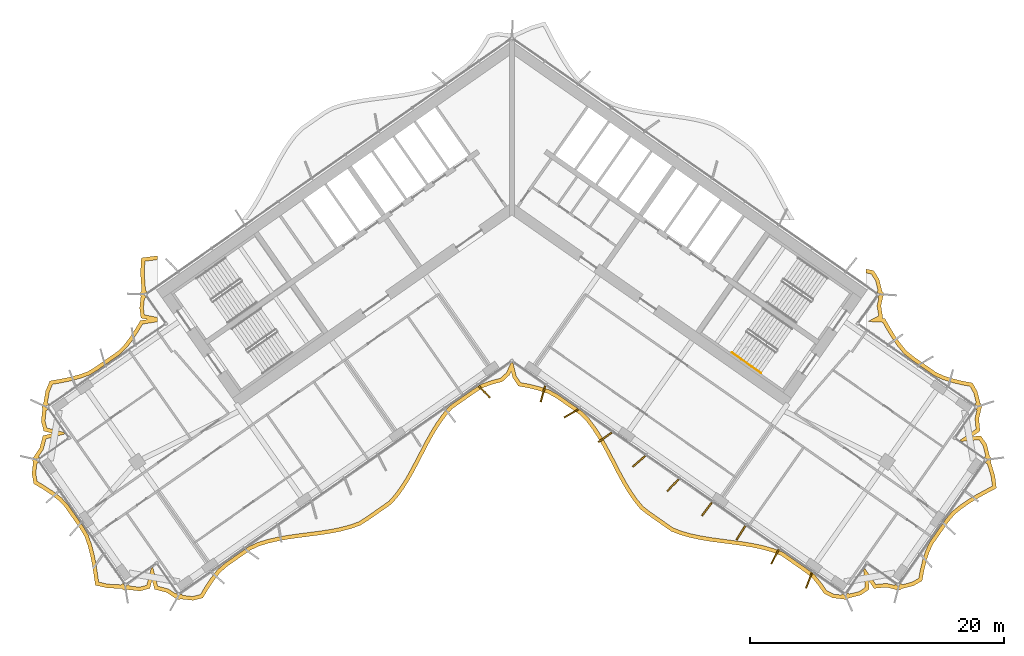
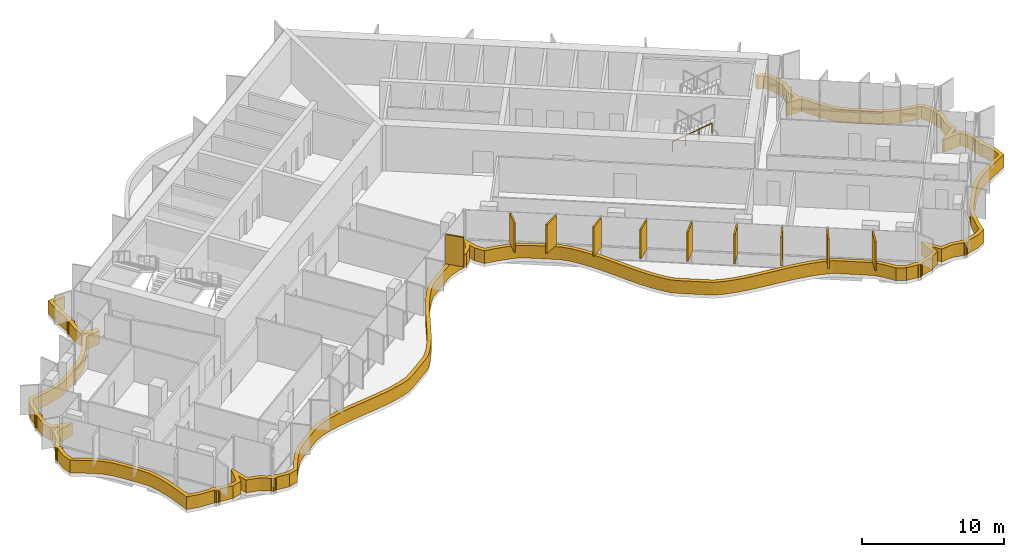
# One storey, part 21 of 23: 11 shading devices, 1 railing.
"""IFC4 building model written with IfcOpenShell, lengths in metres."""

from ifc_helpers import new_model, si_unit, direction, frame, origin, origin_2d, place, context, subcontext, project, spatial, polyline, rectangle, circle, outline, extrude, material, layer, layer_set, type_object, element, save


model = new_model("IFC4")

# Units and contexts
model_context = context("Model", 3, precision=1e-05, world=origin(), true_north=direction((0.0, 1.0)))
body_context = subcontext(model_context, "Body", "Model", "MODEL_VIEW")
ifc_project = project(units=[si_unit("LENGTHUNIT", "METRE"), si_unit("AREAUNIT", "SQUARE_METRE"), si_unit("VOLUMEUNIT", "CUBIC_METRE"), si_unit("PLANEANGLEUNIT", "RADIAN"), si_unit("MASSUNIT", "GRAM", prefix="KILO")], contexts=[model_context])

# Site, building, storey
site_placement = place(None, origin())
site = spatial("IfcSite", under=ifc_project, at=site_placement, CompositionType="ELEMENT")
building_placement = place(site_placement, origin())
building = spatial("IfcBuilding", under=site, at=building_placement, Name="Tel Ilan Convention Tower", CompositionType="ELEMENT")
storey_placement = place(building_placement, frame((0.0, 0.0, 182.699951171875)))
storey = spatial("IfcBuildingStorey", under=building, at=storey_placement, Name="L42", CompositionType="ELEMENT", Elevation=182.699951171875)

# Shading devices
ifc_material_1 = material(Name="Aluminium, bronze anodised", Category="aluminium")
ifc_layer_1 = layer(ifc_material_1, 0.1201171875)
ifc_layer_set_1 = layer_set([ifc_layer_1], Name="FIN BRONZE 1300x120")
shading_device_type_1 = type_object("IfcShadingDeviceType", Name="FIN BRONZE 1300x120", PredefinedType="USERDEFINED", material=ifc_layer_set_1)
for number, where, z_axis, x_axis, name in (
    (1, (-2.174560546875, -15.1357421875, 1.10009765625), (0.0, 0.0, 1.0), (0.686241637865, -0.727373641577, 0.0), "FIN"),
    (2, (2.439697265625, -15.298583984375, 1.10009765625), (0.0, 0.0, 1.0), (-0.268172612768, -0.963370878614, 0.0), "FIN"),
    (3, (4.67333984375, -16.83984375, 1.10009765625), (0.0, 0.0, 1.0), (-0.866025403784, -0.5, 0.0), "FIN"),
    (4, (7.335693359375, -18.7265625, 1.10009765625), (0.0, 0.0, 1.0), (-0.813552070258, -0.581492071294, 0.0), "FIN"),
    (5, (10.003173828125, -20.609619140625, 1.10009765625), (0.0, 0.0, 1.0), (-0.753435896329, -0.657521368568, 0.0), "FIN"),
    (6, (12.67529296875, -22.488525390625, 1.10009765625), (0.0, 0.0, 1.0), (-0.686241637865, -0.727373641577, 0.0), "FIN"),
    (7, (15.3515625, -24.363037109375, 1.10009765625), (0.0, 0.0, 1.0), (-0.612600545196, -0.790392669516, 0.0), "FIN"),
    (8, (18.028564453125, -26.2373046875, 1.10009765625), (0.0, 0.0, 1.0), (-0.533204432798, -0.845986425922, 0.0), "FIN"),
    (9, (20.705322265625, -28.111328125, 1.10009765625), (0.0, 0.0, 1.0), (-0.448799180206, -0.893632640321, 0.0), "FIN"),
    (10, (23.384765625, -29.9794921875, 1.10009765625), (0.0, 0.0, 1.0), (-0.360177724803, -0.932883704733, 0.0), "FIN"),
):
    element("IfcShadingDevice", number, at=place(storey_placement, frame(where, z_axis=z_axis, x_axis=x_axis)), inside=storey, type_object=shading_device_type_1, Name=name, ObjectType="FIN", PredefinedType="USERDEFINED", context=body_context, shape_type="SweptSolid", body=[
        extrude(rectangle(XDim=1.300048828125, YDim=0.1201171875, at=origin_2d()), origin(), (0.0, 0.0, 1.0), 2.52001953125),
    ])
ifc_material_2 = material(Name="Aluminium, bronze anodised", Category="aluminium")
ifc_layer_2 = layer(ifc_material_2, 0.300048828125)
ifc_layer_set_2 = layer_set([ifc_layer_2], Name="LOUVRE BAND 300x1100")
shading_device_type_2 = type_object("IfcShadingDeviceType", Name="LOUVRE BAND 300x1100", PredefinedType="USERDEFINED", material=ifc_layer_set_2)
shading_device_placement = place(storey_placement, origin())
element("IfcShadingDevice", 11, at=shading_device_placement, inside=storey, type_object=shading_device_type_2, Name="LOUVRE BAND 32.01", ObjectType="LOUVRE", PredefinedType="USERDEFINED", context=body_context, shape_type="SweptSolid", body=[
    extrude(outline(polyline([(-37.76904296875, -21.58447265625), (-37.634765625, -22.36669921875), (-36.95703125, -22.768310546875), (-36.311767578125, -23.192626953125), (-35.712890625, -23.649169921875), (-35.203857421875, -24.1689453125), (-33.968994140625, -25.932373046875), (-33.60498046875, -26.5537109375), (-33.363525390625, -27.2607421875), (-33.17138671875, -28.002197265625), (-33.01904296875, -28.771728515625), (-32.89599609375, -29.5615234375), (-32.782958984375, -30.358642578125), (-31.836181640625, -30.571533203125), (-30.67138671875, -30.632080078125), (-30.642333984375, -30.67529296875), (-30.544921875, -30.740478515625), (-30.43017578125, -30.76318359375), (-30.3154296875, -30.740478515625), (-30.261474609375, -30.704345703125), (-29.26904296875, -30.81396484375), (-28.4951171875, -30.611572265625), (-28.31640625, -29.930908203125), (-28.12109375, -30.677734375), (-27.170166015625, -30.92724609375), (-26.497802734375, -31.3720703125), (-26.4931640625, -31.368896484375), (-26.464111328125, -31.412109375), (-26.366943359375, -31.47705078125), (-26.251953125, -31.5), (-26.13720703125, -31.47705078125), (-26.083251953125, -31.441162109375), (-25.097412109375, -31.54931640625), (-24.322021484375, -31.357421875), (-23.90576171875, -30.652587890625), (-23.4609375, -29.988525390625), (-22.980224609375, -29.375732421875), (-22.4169921875, -28.880859375), (-20.58544921875, -27.598388671875), (-19.900146484375, -27.277587890625), (-19.150634765625, -27.048583984375), (-18.36669921875, -26.86865234375), (-17.556396484375, -26.726806640625), (-16.728515625, -26.609619140625), (-15.0595703125, -26.39404296875), (-14.239013671875, -26.266845703125), (-13.4404296875, -26.10791015625), (-12.672119140625, -25.90576171875), (-11.941650390625, -25.649658203125), (-11.30908203125, -25.253662109375), (-9.4775390625, -23.97119140625), (-8.9716796875, -23.39404296875), (-8.509033203125, -22.75537109375), (-8.0791015625, -22.0703125), (-7.673583984375, -21.35009765625), (-6.508056640625, -19.1162109375), (-6.103271484375, -18.39501953125), (-5.67431640625, -17.708251953125), (-5.213134765625, -17.067626953125), (-4.7119140625, -16.483642578125), (-2.88037109375, -15.201416015625), (-2.25146484375, -14.800048828125), (-1.5224609375, -14.5419921875), (-0.755615234375, -14.337890625), (-0.200439453125, -13.831298828125), (-0.055419921875, -13.532470703125), (0.06640625, -14.0224609375), (0.51220703125, -14.685546875), (1.31689453125, -14.835693359375), (2.093017578125, -15.0263671875), (2.833251953125, -15.268798828125), (3.490966796875, -15.62890625), (5.322509765625, -16.9111328125), (5.858154296875, -17.445556640625), (6.329833984375, -18.071533203125), (6.76708984375, -18.74658203125), (7.177734375, -19.45947265625), (7.57080078125, -20.197509765625), (8.343994140625, -21.69189453125), (8.744384765625, -22.41943359375), (9.166748046875, -23.11572265625), (9.61962890625, -23.768310546875), (10.110107421875, -24.3671875), (10.698486328125, -24.826171875), (12.530029296875, -26.108642578125), (13.245361328125, -26.386474609375), (14.003662109375, -26.602783203125), (14.794677734375, -26.7724609375), (15.610107421875, -26.9072265625), (18.10791015625, -27.238525390625), (18.924072265625, -27.3720703125), (19.716064453125, -27.54052734375), (20.475830078125, -27.7548828125), (21.19580078125, -28.02587890625), (23.02734375, -29.308349609375), (23.619384765625, -29.76220703125), (24.111328125, -30.35888671875), (24.565673828125, -31.009765625), (25.2314453125, -31.358154296875), (26.083251953125, -31.441162109375), (26.13720703125, -31.47705078125), (26.251953125, -31.5), (26.366943359375, -31.47705078125), (26.464111328125, -31.412109375), (26.4931640625, -31.368896484375), (27.463134765625, -31.132568359375), (28.12109375, -30.677734375), (28.056396484375, -29.976806640625), (28.4951171875, -30.611572265625), (29.47412109375, -30.52099609375), (30.258056640625, -30.708984375), (30.261474609375, -30.704345703125), (30.3154296875, -30.740478515625), (30.43017578125, -30.76318359375), (30.544921875, -30.740478515625), (30.642333984375, -30.67529296875), (30.67138671875, -30.632080078125), (31.5947265625, -30.402587890625), (32.283447265625, -30.0087890625), (32.42919921875, -29.234619140625), (32.607177734375, -28.483154296875), (32.83154296875, -27.764404296875), (33.145751953125, -27.108154296875), (34.380615234375, -25.344482421875), (34.83984375, -24.7900390625), (35.421630859375, -24.3212890625), (36.052734375, -23.88720703125), (36.7236328125, -23.48095703125), (37.423828125, -23.09521484375), (38.134033203125, -22.71630859375), (38.010498046875, -21.753662109375), (37.6689453125, -20.638427734375), (37.705078125, -20.58447265625), (37.727783203125, -20.4697265625), (37.705078125, -20.354736328125), (37.639892578125, -20.257568359375), (37.5966796875, -20.228515625), (37.3603515625, -19.258544921875), (36.905517578125, -18.6005859375), (36.20458984375, -18.665283203125), (36.839599609375, -18.2265625), (36.748779296875, -17.24755859375), (36.936767578125, -16.463623046875), (36.93212890625, -16.460205078125), (36.96826171875, -16.40625), (36.9912109375, -16.29150390625), (36.96826171875, -16.1767578125), (36.9033203125, -16.079345703125), (36.85986328125, -16.05029296875), (36.63134765625, -15.134521484375), (36.246826171875, -14.44140625), (35.47900390625, -14.2958984375), (34.732177734375, -14.1201171875), (34.017333984375, -13.899169921875), (33.361328125, -13.59375), (31.6103515625, -12.36767578125), (31.052978515625, -11.921630859375), (30.5849609375, -11.347900390625), (30.151123046875, -10.72509765625), (29.74560546875, -10.06201171875), (29.356201171875, -9.3759765625), (29.132080078125, -9.36474609375), (29.19384765625, -9.332763671875), (29.044921875, -8.373779296875), (29.20458984375, -7.631103515625), (29.199951171875, -7.6279296875), (29.236083984375, -7.57373046875), (29.2587890625, -7.458984375), (29.236083984375, -7.34423828125), (29.1708984375, -7.246826171875), (29.127685546875, -7.218017578125), (28.894287109375, -6.267333984375), (28.465576171875, -5.595458984375), (27.874755859375, -5.485595703125), (27.874755859375, -5.790771484375), (28.28271484375, -5.86669921875), (28.614990234375, -6.387451171875), (28.806640625, -7.1533203125), (28.713134765625, -7.286865234375), (28.958740234375, -7.458984375), (28.787353515625, -7.705322265625), (28.869384765625, -7.7626953125), (28.73974609375, -8.364990234375), (28.8642578125, -9.165283203125), (28.0048828125, -9.60888671875), (29.1767578125, -9.66748046875), (29.4873046875, -10.21435546875), (29.89990234375, -10.88916015625), (30.34521484375, -11.528564453125), (30.840576171875, -12.135986328125), (31.430419921875, -12.60791015625), (33.2109375, -13.8544921875), (33.9091796875, -14.1796875), (34.653564453125, -14.409912109375), (35.416748046875, -14.58935546875), (36.052734375, -14.7099609375), (36.35009765625, -15.24609375), (36.53857421875, -15.986328125), (36.4453125, -16.119384765625), (36.691162109375, -16.29150390625), (36.519775390625, -16.53759765625), (36.597412109375, -16.592041015625), (36.445556640625, -17.225830078125), (36.524658203125, -18.07958984375), (35.261474609375, -18.95263671875), (35.38916015625, -19.042236328125), (36.758544921875, -18.915283203125), (37.082275390625, -19.384033203125), (37.27587890625, -20.16357421875), (37.18212890625, -20.297607421875), (37.427734375, -20.4697265625), (37.25634765625, -20.7158203125), (37.41650390625, -20.827880859375), (37.716064453125, -21.816650390625), (37.810302734375, -22.549072265625), (36.573486328125, -23.22119140625), (35.889892578125, -23.635009765625), (35.2421875, -24.08056640625), (34.6279296875, -24.575439453125), (34.141845703125, -25.16259765625), (32.8857421875, -26.956298828125), (32.551513671875, -27.654296875), (32.317626953125, -28.40380859375), (32.1357421875, -29.17236328125), (32.014404296875, -29.817138671875), (31.481201171875, -30.121826171875), (30.7353515625, -30.310791015625), (30.602294921875, -30.217529296875), (30.43017578125, -30.46337890625), (30.18408203125, -30.291748046875), (30.129638671875, -30.36962890625), (29.495849609375, -30.2177734375), (28.64208984375, -30.296875), (27.76904296875, -29.03369140625), (27.679443359375, -29.161376953125), (27.806396484375, -30.530517578125), (27.337646484375, -30.8544921875), (26.55810546875, -31.048095703125), (26.424072265625, -30.954345703125), (26.251953125, -31.199951171875), (26.005859375, -31.028564453125), (25.935302734375, -31.129150390625), (25.319580078125, -31.065673828125), (24.76953125, -30.77783203125), (24.3505859375, -30.177490234375), (23.8291015625, -29.544921875), (23.204833984375, -29.06640625), (21.3369140625, -27.758544921875), (20.569580078125, -27.469482421875), (19.7880859375, -27.2490234375), (18.9794921875, -27.077392578125), (18.15234375, -26.941650390625), (15.65478515625, -26.610595703125), (14.8505859375, -26.477783203125), (14.076416015625, -26.3115234375), (13.341064453125, -26.101806640625), (12.67236328125, -25.842041015625), (10.876953125, -24.5849609375), (10.321044921875, -24.1513671875), (9.859375, -23.58740234375), (9.41845703125, -22.9521484375), (9.004150390625, -22.269287109375), (8.608642578125, -21.55029296875), (7.83642578125, -20.058349609375), (7.440185546875, -19.31396484375), (7.02294921875, -18.590087890625), (6.575927734375, -17.8994140625), (6.085205078125, -17.248046875), (5.515869140625, -16.680419921875), (3.649658203125, -15.37353515625), (2.953125, -14.9921875), (2.17578125, -14.73779296875), (1.380126953125, -14.542236328125), (0.69091796875, -14.41357421875), (0.344970703125, -13.89892578125), (0.092041015625, -12.882568359375), (0.0, -12.818115234375), (-0.063720703125, -12.86279296875), (-0.445068359375, -13.6484375), (-0.903564453125, -14.06689453125), (-1.611328125, -14.255126953125), (-2.384033203125, -14.52880859375), (-3.04736328125, -14.951904296875), (-4.9150390625, -16.259765625), (-5.448974609375, -16.882080078125), (-5.923583984375, -17.541015625), (-6.361572265625, -18.241943359375), (-6.771728515625, -18.972900390625), (-7.93701171875, -21.20654296875), (-8.3369140625, -21.916748046875), (-8.7578125, -22.587646484375), (-9.20654296875, -23.206787109375), (-9.67919921875, -23.746337890625), (-11.474853515625, -25.00341796875), (-12.072509765625, -25.377685546875), (-12.760009765625, -25.61865234375), (-13.5078125, -25.8154296875), (-14.291259765625, -25.97119140625), (-15.102294921875, -26.09716796875), (-16.768310546875, -26.312255859375), (-17.603271484375, -26.430419921875), (-18.42626953125, -26.57470703125), (-19.22802734375, -26.7587890625), (-20.008056640625, -26.9970703125), (-20.736083984375, -27.337646484375), (-22.6025390625, -28.64453125), (-23.198974609375, -29.168701171875), (-23.7041015625, -29.81201171875), (-24.159912109375, -30.49267578125), (-24.516357421875, -31.096435546875), (-25.118408203125, -31.24560546875), (-25.91259765625, -31.161865234375), (-26.005859375, -31.028564453125), (-26.251953125, -31.199951171875), (-26.424072265625, -30.954345703125), (-26.502685546875, -31.00927734375), (-27.0458984375, -30.649658203125), (-27.875244140625, -30.43212890625), (-28.263916015625, -28.9462890625), (-28.3916015625, -29.035888671875), (-28.74072265625, -30.36572265625), (-29.2919921875, -30.510009765625), (-30.0908203125, -30.425048828125), (-30.18408203125, -30.291748046875), (-30.43017578125, -30.46337890625), (-30.602294921875, -30.217529296875), (-30.76318359375, -30.330078125), (-31.794677734375, -30.2734375), (-32.51513671875, -30.111328125), (-32.7236328125, -28.719482421875), (-32.878662109375, -27.935302734375), (-33.075927734375, -27.174560546875), (-33.330810546875, -26.427978515625), (-33.71630859375, -25.770263671875), (-34.97216796875, -23.9765625), (-35.513671875, -23.423828125), (-36.13818359375, -22.947509765625), (-36.798095703125, -22.513671875), (-37.362548828125, -22.17919921875), (-37.46630859375, -21.573974609375), (-37.388916015625, -20.80859375), (-37.25634765625, -20.7158203125), (-37.427734375, -20.4697265625), (-37.18212890625, -20.297607421875), (-37.237060546875, -20.218994140625), (-36.877685546875, -19.675537109375), (-36.659912109375, -18.846435546875), (-35.17431640625, -18.457763671875), (-35.263671875, -18.330078125), (-36.59375, -17.98095703125), (-36.73779296875, -17.4296875), (-36.653076171875, -16.630859375), (-36.519775390625, -16.53759765625), (-36.691162109375, -16.29150390625), (-36.4453125, -16.119384765625), (-36.5458984375, -15.9755859375), (-36.3974609375, -15.14111328125), (-36.1474609375, -14.54833984375), (-35.52734375, -14.443603515625), (-34.751953125, -14.28662109375), (-33.998779296875, -14.0869140625), (-33.2587890625, -13.8291015625), (-32.613525390625, -13.436279296875), (-30.8330078125, -12.189697265625), (-30.288818359375, -11.64453125), (-29.81787109375, -11.02392578125), (-29.38818359375, -10.3681640625), (-29.05712890625, -9.8115234375), (-27.874755859375, -9.6240234375), (-27.874755859375, -9.287353515625), (-28.923828125, -9.080322265625), (-28.992431640625, -8.5439453125), (-28.91943359375, -7.797607421875), (-28.787353515625, -7.705322265625), (-28.958740234375, -7.458984375), (-28.713134765625, -7.286865234375), (-28.83740234375, -7.109375), (-28.93115234375, -5.783447265625), (-28.876953125, -4.86572265625), (-27.874755859375, -4.735107421875), (-27.874755859375, -4.4326171875), (-29.161865234375, -4.60107421875), (-29.231689453125, -5.78515625), (-29.127685546875, -7.218017578125), (-29.1708984375, -7.246826171875), (-29.236083984375, -7.34423828125), (-29.2587890625, -7.458984375), (-29.236083984375, -7.57373046875), (-29.199951171875, -7.6279296875), (-29.29443359375, -8.548583984375), (-29.19384765625, -9.332763671875), (-28.64111328125, -9.44189453125), (-29.2431640625, -9.537353515625), (-29.642578125, -10.209228515625), (-30.06298828125, -10.850830078125), (-30.515380859375, -11.447021484375), (-31.02685546875, -11.958984375), (-32.777587890625, -13.18505859375), (-33.387451171875, -13.55615234375), (-34.086669921875, -13.7998046875), (-34.8203125, -13.994384765625), (-35.58203125, -14.148681640625), (-36.35986328125, -14.280029296875), (-36.686767578125, -15.055419921875), (-36.85986328125, -16.05029296875), (-36.9033203125, -16.079345703125), (-36.96826171875, -16.1767578125), (-36.9912109375, -16.29150390625), (-36.96826171875, -16.40625), (-36.93212890625, -16.460205078125), (-37.0419921875, -17.45263671875), (-36.839599609375, -18.2265625), (-36.15869140625, -18.4052734375), (-36.905517578125, -18.6005859375), (-37.1552734375, -19.551513671875), (-37.599853515625, -20.223876953125), (-37.5966796875, -20.228515625), (-37.639892578125, -20.257568359375), (-37.705078125, -20.354736328125), (-37.727783203125, -20.4697265625), (-37.705078125, -20.58447265625), (-37.6689453125, -20.638427734375), (-37.76904296875, -21.58447265625)])), origin(), (0.0, 0.0, 1.0), 1.10009765625),
])

# Railing
ifc_material_3 = material(Name="Stainless Steel Grade 316", Category="steel")
railing_type = type_object("IfcRailingType", Name="Stainless Steel Stair Handrail 900 mm", PredefinedType="HANDRAIL", material=ifc_material_3)
railing_placement = place(storey_placement, frame((17.312744140625, -12.0615234375, 2.12744140625)))
element("IfcRailing", 12, at=railing_placement, inside=storey, type_object=railing_type, Name="L42 S4 stair handrail 2", PredefinedType="HANDRAIL", context=body_context, shape_type="SweptSolid", body=[
    extrude(circle(Radius=0.02392578125, at=origin_2d()), frame((0.0, 0.0, 0.8759765625), z_axis=(0.692123088272, -0.484596665743, 0.534912798717), x_axis=(0.573550118428, 0.819170471667, 0.0)), (0.0, 0.0, 1.0), 3.31396484375),
    extrude(circle(Radius=0.02099609375, at=origin_2d()), origin(), (0.0, 0.0, 1.0), 0.851806640625),
    extrude(circle(Radius=0.02099609375, at=origin_2d()), frame((0.7646484375, -0.535400390625, 0.5908203125)), (0.0, 0.0, 1.0), 0.851806640625),
    extrude(circle(Radius=0.02099609375, at=origin_2d()), frame((1.529052734375, -1.070556640625, 1.181884765625)), (0.0, 0.0, 1.0), 0.851806640625),
    extrude(circle(Radius=0.02099609375, at=origin_2d()), frame((2.293701171875, -1.60595703125, 1.772705078125)), (0.0, 0.0, 1.0), 0.851806640625),
])

save(model, "model.ifc")
